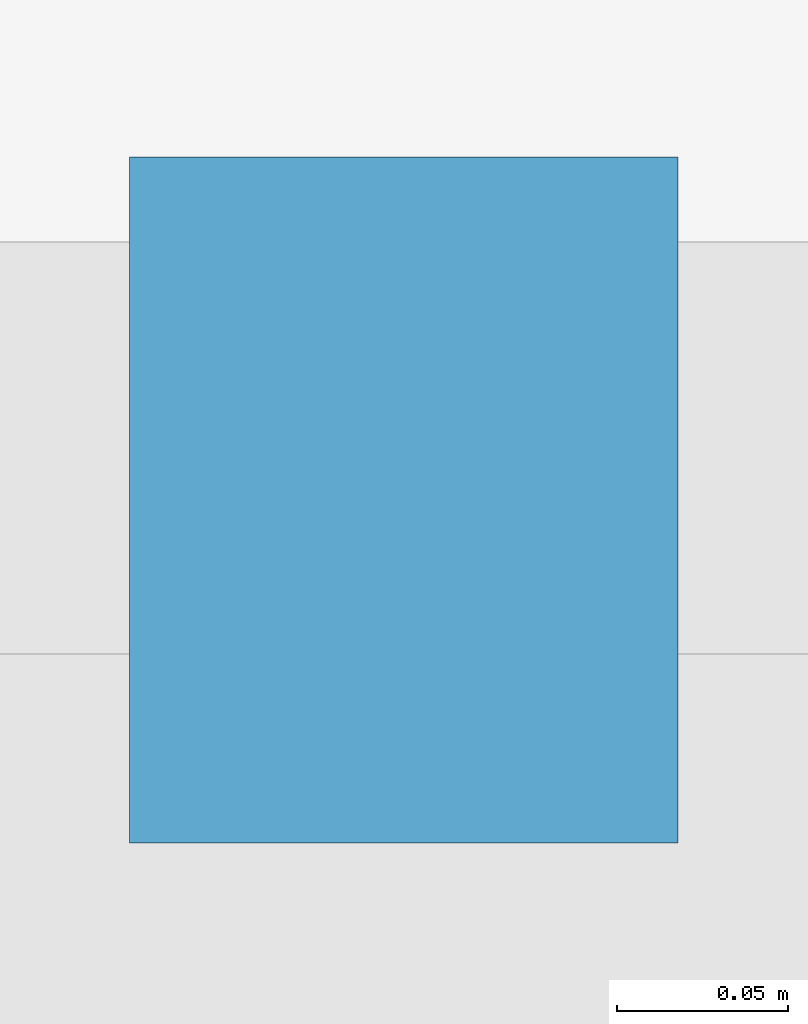
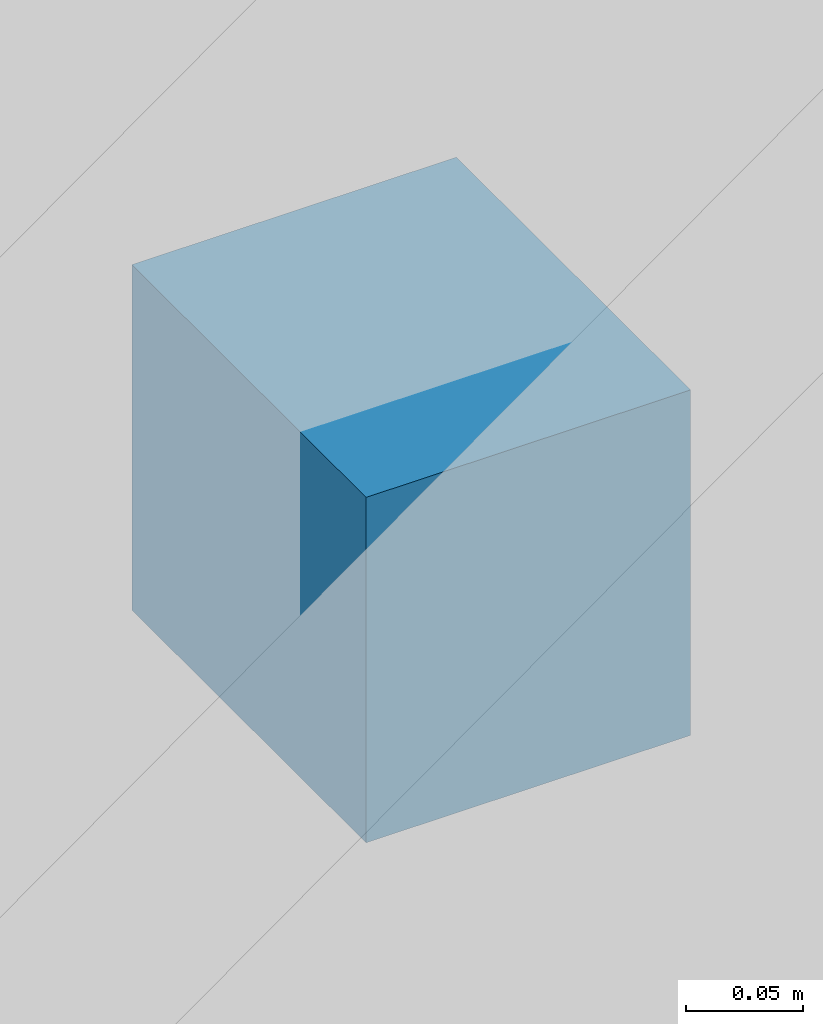
# One storey, part 18 of 22: 1 discrete accessory.
"""IFC4 building model written with IfcOpenShell, lengths in metres."""

from ifc_helpers import new_model, si_unit, direction, frame, origin, origin_2d, place, context, subcontext, project, spatial, rectangle, extrude, material, type_object, element, save


model = new_model("IFC4")

# Units and contexts
model_context = context("Model", 3, precision=1e-05, world=origin(), true_north=direction((0.0, 1.0)))
body_context = subcontext(model_context, "Body", "Model", "MODEL_VIEW")
ifc_project = project(units=[si_unit("LENGTHUNIT", "METRE"), si_unit("AREAUNIT", "SQUARE_METRE"), si_unit("VOLUMEUNIT", "CUBIC_METRE"), si_unit("PLANEANGLEUNIT", "RADIAN"), si_unit("MASSUNIT", "GRAM", prefix="KILO")], contexts=[model_context])

# Site, building, storey
site_placement = place(None, origin())
site = spatial("IfcSite", under=ifc_project, at=site_placement, CompositionType="ELEMENT")
building_placement = place(site_placement, origin())
building = spatial("IfcBuilding", under=site, at=building_placement, Name="Koriwani Terraces Tower", CompositionType="ELEMENT")
storey_placement = place(building_placement, frame((0.0, 0.0, 219.800048828125)))
storey = spatial("IfcBuildingStorey", under=building, at=storey_placement, Name="L54", CompositionType="ELEMENT", Elevation=219.800048828125)

# Discrete accessory
ifc_material = material(Name="Steel ASTM A572 Grade 50", Category="steel")
discrete_accessory_type = type_object("IfcDiscreteAccessoryType", Name="BAGUETTE_STANDOFF_BRACKET", PredefinedType="BRACKET", material=ifc_material)
discrete_accessory_placement = place(storey_placement, frame((63.0, 0.389892578125, 1.89501953125), z_axis=(0.0, 0.0, 1.0), x_axis=(-1.0, 0.0, 0.0)))
element("IfcDiscreteAccessory", 1, at=discrete_accessory_placement, inside=storey, type_object=discrete_accessory_type, Name="L54 Terracotta Baguette Bracket (S-21)", PredefinedType="BRACKET", context=body_context, shape_type="SweptSolid", body=[
    extrude(rectangle(XDim=0.159912109375, YDim=0.199951171875, at=origin_2d()), origin(), (0.0, 0.0, 1.0), 0.179931640625),
])

save(model, "model.ifc")
